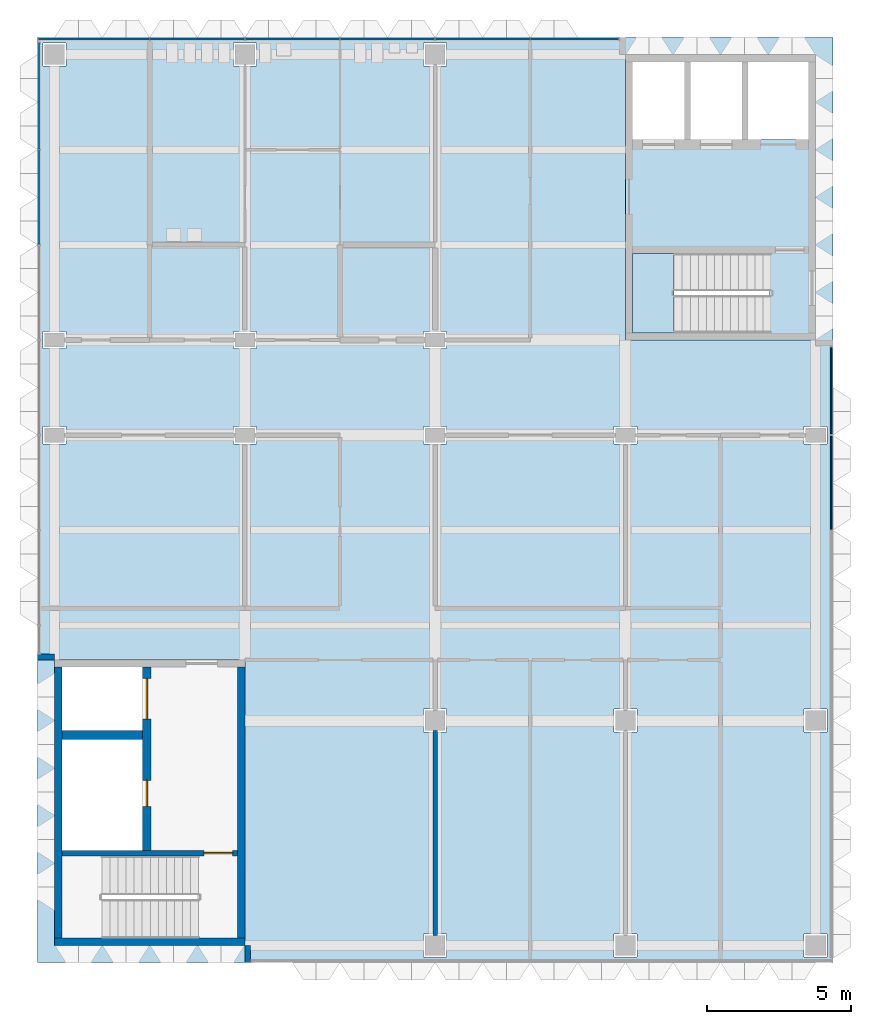
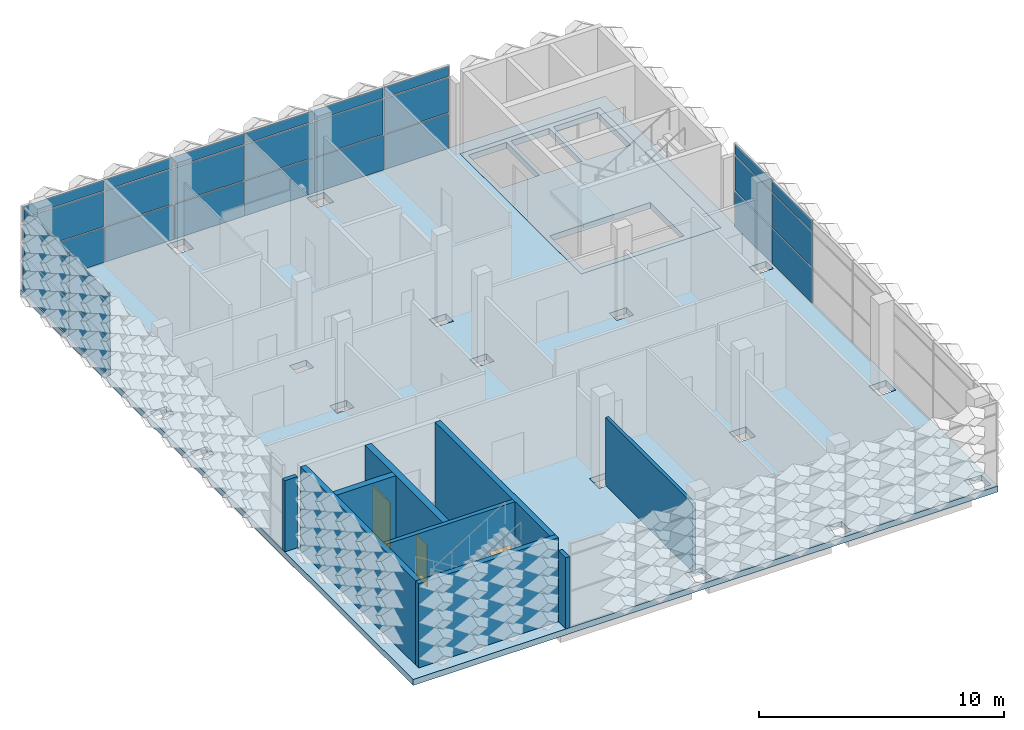
# One storey, part 8 of 29: 30 plates, 9 walls, 3 doors, 3 slabs, 3 openings, 4 elements without a shape of their own.
"""IFC4 building model written with IfcOpenShell, lengths in metres."""

from ifc_helpers import new_model, si_unit, direction, frame, frame_2d, origin, origin_2d, place, context, subcontext, project, spatial, polyline, rectangle, outline, extrude, material, layer, layer_set, type_object, element, fill, aggregate, save


model = new_model("IFC4")

# Units and contexts
model_context = context("Model", 3, precision=1e-05, world=origin(), true_north=direction((0.0, 1.0)))
body_context = subcontext(model_context, "Body", "Model", "MODEL_VIEW")
ifc_project = project(units=[si_unit("LENGTHUNIT", "METRE"), si_unit("AREAUNIT", "SQUARE_METRE"), si_unit("VOLUMEUNIT", "CUBIC_METRE"), si_unit("PLANEANGLEUNIT", "RADIAN"), si_unit("MASSUNIT", "GRAM", prefix="KILO")], contexts=[model_context])

# Site, building, storey
site_placement = place(None, origin())
site = spatial("IfcSite", under=ifc_project, at=site_placement, CompositionType="ELEMENT")
building_placement = place(site_placement, origin())
building = spatial("IfcBuilding", under=site, at=building_placement, Name="Lantern Court Research Institute", CompositionType="ELEMENT")
storey_placement = place(building_placement, frame((0.0, 0.0, 32.39990234375)))
storey = spatial("IfcBuildingStorey", under=building, at=storey_placement, Name="L07", CompositionType="ELEMENT", Elevation=32.39990234375)

# Curtain wall, plates
ifc_material_1 = material(Name="Aluminium alloy 6063-T6", Category="aluminium")
curtain_wall_type_1 = type_object("IfcCurtainWallType", Name="Curtain wall 20200 x 4200 x 120 aluminium frame", PredefinedType="NOTDEFINED", material=ifc_material_1)
curtain_wall_1_placement = place(storey_placement, origin())
curtain_wall_1 = element("IfcCurtainWall", 1, at=curtain_wall_1_placement, inside=storey, type_object=curtain_wall_type_1, Name="Curtain wall CW082", PredefinedType="NOTDEFINED")
ifc_material_2 = material(Name="Insulated aluminium spandrel panel", Category="aluminium")
ifc_layer_1 = layer(ifc_material_2, 0.06005859375)
ifc_layer_set_1 = layer_set([ifc_layer_1], Name="Insulated aluminium spandrel panel")
plate_type_1 = type_object("IfcPlateType", Name="Insulated spandrel panel 60 mm", PredefinedType="CURTAIN_PANEL", material=ifc_layer_set_1)
plate_1_placement = place(storey_placement, frame((54.16259765625, 23.639892578125, 0.050048828125), z_axis=(0.0, 0.0, 1.0), x_axis=(1.0, 0.0, 0.0)))
plate_1 = element("IfcPlate", 2, at=plate_1_placement, type_object=plate_type_1, Name="CW082 spandrel panel 1.1", PredefinedType="CURTAIN_PANEL", context=body_context, shape_type="SweptSolid", body=[
    extrude(rectangle(XDim=3.824951171875, YDim=0.06005859375, at=origin_2d()), origin(), (0.0, 0.0, 1.0), 1.72509765625),
])
plate_2_placement = place(storey_placement, frame((57.75, 23.639892578125, 0.050048828125), z_axis=(0.0, 0.0, 1.0), x_axis=(1.0, 0.0, 0.0)))
plate_2 = element("IfcPlate", 3, at=plate_2_placement, type_object=plate_type_1, Name="CW082 spandrel panel 2.1", PredefinedType="CURTAIN_PANEL", context=body_context, shape_type="SweptSolid", body=[
    extrude(rectangle(XDim=3.25, YDim=0.06005859375, at=origin_2d()), origin(), (0.0, 0.0, 1.0), 1.72509765625),
])
plate_3_placement = place(storey_placement, frame((61.050048828125, 23.639892578125, 0.050048828125), z_axis=(0.0, 0.0, 1.0), x_axis=(1.0, 0.0, 0.0)))
plate_3 = element("IfcPlate", 4, at=plate_3_placement, type_object=plate_type_1, Name="CW082 spandrel panel 3.1", PredefinedType="CURTAIN_PANEL", context=body_context, shape_type="SweptSolid", body=[
    extrude(rectangle(XDim=3.25, YDim=0.06005859375, at=origin_2d()), origin(), (0.0, 0.0, 1.0), 1.72509765625),
])
plate_4_placement = place(storey_placement, frame((64.35009765625, 23.639892578125, 0.050048828125), z_axis=(0.0, 0.0, 1.0), x_axis=(1.0, 0.0, 0.0)))
plate_4 = element("IfcPlate", 5, at=plate_4_placement, type_object=plate_type_1, Name="CW082 spandrel panel 4.1", PredefinedType="CURTAIN_PANEL", context=body_context, shape_type="SweptSolid", body=[
    extrude(rectangle(XDim=3.25, YDim=0.06005859375, at=origin_2d()), origin(), (0.0, 0.0, 1.0), 1.72509765625),
])
plate_5_placement = place(storey_placement, frame((67.64990234375, 23.639892578125, 0.050048828125), z_axis=(0.0, 0.0, 1.0), x_axis=(1.0, 0.0, 0.0)))
plate_5 = element("IfcPlate", 6, at=plate_5_placement, type_object=plate_type_1, Name="CW082 spandrel panel 5.1", PredefinedType="CURTAIN_PANEL", context=body_context, shape_type="SweptSolid", body=[
    extrude(rectangle(XDim=3.25, YDim=0.06005859375, at=origin_2d()), origin(), (0.0, 0.0, 1.0), 1.72509765625),
])
plate_6_placement = place(storey_placement, frame((70.83740234375, 23.639892578125, 0.050048828125), z_axis=(0.0, 0.0, 1.0), x_axis=(1.0, 0.0, 0.0)))
plate_6 = element("IfcPlate", 7, at=plate_6_placement, type_object=plate_type_1, Name="CW082 spandrel panel 6.1", PredefinedType="CURTAIN_PANEL", context=body_context, shape_type="SweptSolid", body=[
    extrude(rectangle(XDim=3.02490234375, YDim=0.06005859375, at=origin_2d()), origin(), (0.0, 0.0, 1.0), 1.72509765625),
])

ifc_material_3 = material(Name="Aluminium alloy 6063-T6", Category="aluminium")
curtain_wall_type_2 = type_object("IfcCurtainWallType", Name="Curtain wall 21250 x 4200 x 120 aluminium frame", PredefinedType="NOTDEFINED", material=ifc_material_3)
curtain_wall_2_placement = place(storey_placement, origin())
curtain_wall_2 = element("IfcCurtainWall", 8, at=curtain_wall_2_placement, inside=storey, type_object=curtain_wall_type_2, Name="Curtain wall CW081", PredefinedType="NOTDEFINED")
ifc_material_4 = material(Name="Insulated aluminium spandrel panel", Category="aluminium")
ifc_layer_2 = layer(ifc_material_4, 0.080078125)
ifc_layer_set_2 = layer_set([ifc_layer_2], Name="Insulated aluminium spandrel panel")
plate_type_2 = type_object("IfcPlateType", Name="Insulated spandrel panel 80 mm", PredefinedType="CURTAIN_PANEL", material=ifc_layer_set_2)
plate_7_placement = place(storey_placement, frame((79.739990234375, 8.25, 0.050048828125), z_axis=(0.0, 0.0, 1.0), x_axis=(0.0, -1.0, 0.0)))
plate_7 = element("IfcPlate", 9, at=plate_7_placement, type_object=plate_type_2, Name="CW081 spandrel panel 6.1", PredefinedType="CURTAIN_PANEL", context=body_context, shape_type="SweptSolid", body=[
    extrude(rectangle(XDim=3.25, YDim=0.080078125, at=origin_2d()), origin(), (0.0, 0.0, 1.0), 1.72509765625),
])
plate_8_placement = place(storey_placement, frame((79.739990234375, 11.4375, 0.050048828125), z_axis=(0.0, 0.0, 1.0), x_axis=(0.0, -1.0, 0.0)))
plate_8 = element("IfcPlate", 10, at=plate_8_placement, type_object=plate_type_2, Name="CW081 spandrel panel 7.1", PredefinedType="CURTAIN_PANEL", context=body_context, shape_type="SweptSolid", body=[
    extrude(rectangle(XDim=3.02490234375, YDim=0.080078125, at=origin_2d()), origin(), (0.0, 0.0, 1.0), 1.72509765625),
])

curtain_wall_3_placement = place(storey_placement, origin())
curtain_wall_3 = element("IfcCurtainWall", 11, at=curtain_wall_3_placement, inside=storey, type_object=curtain_wall_type_2, Name="Curtain wall CW084", PredefinedType="NOTDEFINED")
plate_9_placement = place(storey_placement, frame((52.260009765625, 18.14990234375, 0.050048828125), z_axis=(0.0, 0.0, 1.0), x_axis=(0.0, 1.0, 0.0)))
plate_9 = element("IfcPlate", 12, at=plate_9_placement, type_object=plate_type_2, Name="CW084 spandrel panel 6.1", PredefinedType="CURTAIN_PANEL", context=body_context, shape_type="SweptSolid", body=[
    extrude(rectangle(XDim=3.25, YDim=0.080078125, at=origin_2d()), origin(), (0.0, 0.0, 1.0), 1.72509765625),
])
plate_10_placement = place(storey_placement, frame((52.260009765625, 21.66259765625, 0.050048828125), z_axis=(0.0, 0.0, 1.0), x_axis=(0.0, 1.0, 0.0)))
plate_10 = element("IfcPlate", 13, at=plate_10_placement, type_object=plate_type_2, Name="CW084 spandrel panel 7.1", PredefinedType="CURTAIN_PANEL", context=body_context, shape_type="SweptSolid", body=[
    extrude(rectangle(XDim=3.675048828125, YDim=0.080078125, at=origin_2d()), origin(), (0.0, 0.0, 1.0), 1.72509765625),
])
ifc_material_5 = material(Name="Laminated low-emissivity glass", Category="glass")
ifc_layer_3 = layer(ifc_material_5, 0.031982421875)
ifc_layer_set_3 = layer_set([ifc_layer_3], Name="Laminated low-emissivity glass")
plate_type_3 = type_object("IfcPlateType", Name="Laminated low-emissivity unit 32 mm", PredefinedType="CURTAIN_PANEL", material=ifc_layer_set_3)
plate_11_placement = place(storey_placement, frame((52.260009765625, 18.14990234375, 1.8251953125), z_axis=(0.0, 0.0, 1.0), x_axis=(0.0, 1.0, 0.0)))
plate_11 = element("IfcPlate", 14, at=plate_11_placement, type_object=plate_type_3, Name="CW084 glazed panel 6.2", PredefinedType="CURTAIN_PANEL", context=body_context, shape_type="SweptSolid", body=[
    extrude(rectangle(XDim=3.25, YDim=0.031982421875, at=origin_2d()), origin(), (0.0, 0.0, 1.0), 1.75),
])
plate_12_placement = place(storey_placement, frame((52.260009765625, 18.14990234375, 3.625244140625), z_axis=(0.0, 0.0, 1.0), x_axis=(0.0, 1.0, 0.0)))
plate_12 = element("IfcPlate", 15, at=plate_12_placement, type_object=plate_type_3, Name="CW084 glazed panel 6.3", PredefinedType="CURTAIN_PANEL", context=body_context, shape_type="SweptSolid", body=[
    extrude(rectangle(XDim=3.25, YDim=0.031982421875, at=origin_2d()), origin(), (0.0, 0.0, 1.0), 0.52490234375),
])
plate_13_placement = place(storey_placement, frame((52.260009765625, 21.66259765625, 1.8251953125), z_axis=(0.0, 0.0, 1.0), x_axis=(0.0, 1.0, 0.0)))
plate_13 = element("IfcPlate", 16, at=plate_13_placement, type_object=plate_type_3, Name="CW084 glazed panel 7.2", PredefinedType="CURTAIN_PANEL", context=body_context, shape_type="SweptSolid", body=[
    extrude(rectangle(XDim=3.675048828125, YDim=0.031982421875, at=origin_2d()), origin(), (0.0, 0.0, 1.0), 1.75),
])
plate_14_placement = place(storey_placement, frame((52.260009765625, 21.66259765625, 3.625244140625), z_axis=(0.0, 0.0, 1.0), x_axis=(0.0, 1.0, 0.0)))
plate_14 = element("IfcPlate", 17, at=plate_14_placement, type_object=plate_type_3, Name="CW084 glazed panel 7.3", PredefinedType="CURTAIN_PANEL", context=body_context, shape_type="SweptSolid", body=[
    extrude(rectangle(XDim=3.675048828125, YDim=0.031982421875, at=origin_2d()), origin(), (0.0, 0.0, 1.0), 0.52490234375),
])
aggregate(curtain_wall_3, [plate_9, plate_11, plate_12, plate_10, plate_13, plate_14])

# Plate
ifc_material_6 = material(Name="Laminated low-emissivity glass", Category="glass")
ifc_layer_4 = layer(ifc_material_6, 0.02392578125)
ifc_layer_set_4 = layer_set([ifc_layer_4], Name="Laminated low-emissivity glass")
plate_type_4 = type_object("IfcPlateType", Name="Lightweight laminated unit 24 mm", PredefinedType="CURTAIN_PANEL", material=ifc_layer_set_4)
plate_15_placement = place(storey_placement, frame((54.16259765625, 23.639892578125, 1.8251953125), z_axis=(0.0, 0.0, 1.0), x_axis=(1.0, 0.0, 0.0)))
plate_15 = element("IfcPlate", 18, at=plate_15_placement, type_object=plate_type_4, Name="CW082 glazed panel 1.2", PredefinedType="CURTAIN_PANEL", context=body_context, shape_type="SweptSolid", body=[
    extrude(rectangle(XDim=3.824951171875, YDim=0.02392578125, at=origin_2d()), origin(), (0.0, 0.0, 1.0), 1.75),
])

plate_16_placement = place(storey_placement, frame((54.16259765625, 23.639892578125, 3.625244140625), z_axis=(0.0, 0.0, 1.0), x_axis=(1.0, 0.0, 0.0)))
plate_16 = element("IfcPlate", 19, at=plate_16_placement, type_object=plate_type_4, Name="CW082 glazed panel 1.3", PredefinedType="CURTAIN_PANEL", context=body_context, shape_type="SweptSolid", body=[
    extrude(rectangle(XDim=3.824951171875, YDim=0.02392578125, at=origin_2d()), origin(), (0.0, 0.0, 1.0), 0.52490234375),
])

plate_17_placement = place(storey_placement, frame((57.75, 23.639892578125, 1.8251953125), z_axis=(0.0, 0.0, 1.0), x_axis=(1.0, 0.0, 0.0)))
plate_17 = element("IfcPlate", 20, at=plate_17_placement, type_object=plate_type_4, Name="CW082 glazed panel 2.2", PredefinedType="CURTAIN_PANEL", context=body_context, shape_type="SweptSolid", body=[
    extrude(rectangle(XDim=3.25, YDim=0.02392578125, at=origin_2d()), origin(), (0.0, 0.0, 1.0), 1.75),
])

plate_18_placement = place(storey_placement, frame((57.75, 23.639892578125, 3.625244140625), z_axis=(0.0, 0.0, 1.0), x_axis=(1.0, 0.0, 0.0)))
plate_18 = element("IfcPlate", 21, at=plate_18_placement, type_object=plate_type_4, Name="CW082 glazed panel 2.3", PredefinedType="CURTAIN_PANEL", context=body_context, shape_type="SweptSolid", body=[
    extrude(rectangle(XDim=3.25, YDim=0.02392578125, at=origin_2d()), origin(), (0.0, 0.0, 1.0), 0.52490234375),
])

plate_19_placement = place(storey_placement, frame((61.050048828125, 23.639892578125, 1.8251953125), z_axis=(0.0, 0.0, 1.0), x_axis=(1.0, 0.0, 0.0)))
plate_19 = element("IfcPlate", 22, at=plate_19_placement, type_object=plate_type_4, Name="CW082 glazed panel 3.2", PredefinedType="CURTAIN_PANEL", context=body_context, shape_type="SweptSolid", body=[
    extrude(rectangle(XDim=3.25, YDim=0.02392578125, at=origin_2d()), origin(), (0.0, 0.0, 1.0), 1.75),
])

plate_20_placement = place(storey_placement, frame((61.050048828125, 23.639892578125, 3.625244140625), z_axis=(0.0, 0.0, 1.0), x_axis=(1.0, 0.0, 0.0)))
plate_20 = element("IfcPlate", 23, at=plate_20_placement, type_object=plate_type_4, Name="CW082 glazed panel 3.3", PredefinedType="CURTAIN_PANEL", context=body_context, shape_type="SweptSolid", body=[
    extrude(rectangle(XDim=3.25, YDim=0.02392578125, at=origin_2d()), origin(), (0.0, 0.0, 1.0), 0.52490234375),
])

plate_21_placement = place(storey_placement, frame((64.35009765625, 23.639892578125, 1.8251953125), z_axis=(0.0, 0.0, 1.0), x_axis=(1.0, 0.0, 0.0)))
plate_21 = element("IfcPlate", 24, at=plate_21_placement, type_object=plate_type_4, Name="CW082 glazed panel 4.2", PredefinedType="CURTAIN_PANEL", context=body_context, shape_type="SweptSolid", body=[
    extrude(rectangle(XDim=3.25, YDim=0.02392578125, at=origin_2d()), origin(), (0.0, 0.0, 1.0), 1.75),
])

plate_22_placement = place(storey_placement, frame((64.35009765625, 23.639892578125, 3.625244140625), z_axis=(0.0, 0.0, 1.0), x_axis=(1.0, 0.0, 0.0)))
plate_22 = element("IfcPlate", 25, at=plate_22_placement, type_object=plate_type_4, Name="CW082 glazed panel 4.3", PredefinedType="CURTAIN_PANEL", context=body_context, shape_type="SweptSolid", body=[
    extrude(rectangle(XDim=3.25, YDim=0.02392578125, at=origin_2d()), origin(), (0.0, 0.0, 1.0), 0.52490234375),
])

plate_23_placement = place(storey_placement, frame((67.64990234375, 23.639892578125, 1.8251953125), z_axis=(0.0, 0.0, 1.0), x_axis=(1.0, 0.0, 0.0)))
plate_23 = element("IfcPlate", 26, at=plate_23_placement, type_object=plate_type_4, Name="CW082 glazed panel 5.2", PredefinedType="CURTAIN_PANEL", context=body_context, shape_type="SweptSolid", body=[
    extrude(rectangle(XDim=3.25, YDim=0.02392578125, at=origin_2d()), origin(), (0.0, 0.0, 1.0), 1.75),
])

plate_24_placement = place(storey_placement, frame((67.64990234375, 23.639892578125, 3.625244140625), z_axis=(0.0, 0.0, 1.0), x_axis=(1.0, 0.0, 0.0)))
plate_24 = element("IfcPlate", 27, at=plate_24_placement, type_object=plate_type_4, Name="CW082 glazed panel 5.3", PredefinedType="CURTAIN_PANEL", context=body_context, shape_type="SweptSolid", body=[
    extrude(rectangle(XDim=3.25, YDim=0.02392578125, at=origin_2d()), origin(), (0.0, 0.0, 1.0), 0.52490234375),
])

plate_25_placement = place(storey_placement, frame((70.83740234375, 23.639892578125, 1.8251953125), z_axis=(0.0, 0.0, 1.0), x_axis=(1.0, 0.0, 0.0)))
plate_25 = element("IfcPlate", 28, at=plate_25_placement, type_object=plate_type_4, Name="CW082 glazed panel 6.2", PredefinedType="CURTAIN_PANEL", context=body_context, shape_type="SweptSolid", body=[
    extrude(rectangle(XDim=3.02490234375, YDim=0.02392578125, at=origin_2d()), origin(), (0.0, 0.0, 1.0), 1.75),
])

plate_26_placement = place(storey_placement, frame((70.83740234375, 23.639892578125, 3.625244140625), z_axis=(0.0, 0.0, 1.0), x_axis=(1.0, 0.0, 0.0)))
plate_26 = element("IfcPlate", 29, at=plate_26_placement, type_object=plate_type_4, Name="CW082 glazed panel 6.3", PredefinedType="CURTAIN_PANEL", context=body_context, shape_type="SweptSolid", body=[
    extrude(rectangle(XDim=3.02490234375, YDim=0.02392578125, at=origin_2d()), origin(), (0.0, 0.0, 1.0), 0.52490234375),
])

aggregate(curtain_wall_1, [plate_1, plate_15, plate_16, plate_2, plate_17, plate_18, plate_3, plate_19, plate_20, plate_4, plate_21, plate_22, plate_5, plate_23, plate_24, plate_6, plate_25, plate_26])

# Slabs
ifc_material_7 = material(Name="Concrete C35/45", Category="concrete")
ifc_layer_5 = layer(ifc_material_7, 0.300048828125)
ifc_layer_set_5 = layer_set([ifc_layer_5], Name="Concrete C35/45")
slab_type_1 = type_object("IfcSlabType", Name="RC core floor slab 300", PredefinedType="FLOOR", material=ifc_layer_set_5)
slab_1_placement = place(storey_placement, frame((0.0, 0.0, -0.2998046875)))
element("IfcSlab", 30, at=slab_1_placement, inside=storey, type_object=slab_type_1, Name="Floor of core TC-E", PredefinedType="FLOOR", context=body_context, shape_type="SweptSolid", body=[
    extrude(outline(polyline([(72.60009765625, 13.199951171875), (79.199951171875, 13.199951171875), (79.199951171875, 23.10009765625), (72.60009765625, 23.10009765625), (72.60009765625, 13.199951171875)]), holes=[polyline([(77.60009765625, 16.199951171875), (72.85009765625, 16.199951171875), (72.85009765625, 13.449951171875), (77.60009765625, 13.449951171875), (77.60009765625, 16.199951171875)]), polyline([(72.85009765625, 20.14990234375), (74.64990234375, 20.14990234375), (74.64990234375, 22.85009765625), (72.85009765625, 22.85009765625), (72.85009765625, 20.14990234375)]), polyline([(74.85009765625, 20.14990234375), (76.64990234375, 20.14990234375), (76.64990234375, 22.85009765625), (74.85009765625, 22.85009765625), (74.85009765625, 20.14990234375)]), polyline([(76.85009765625, 20.14990234375), (78.949951171875, 20.14990234375), (78.949951171875, 22.85009765625), (76.85009765625, 22.85009765625), (76.85009765625, 20.14990234375)])]), origin(), (0.0, 0.0, 1.0), 0.2998046875),
])
ifc_material_8 = material(Name="Concrete C35/45", Category="concrete")
ifc_layer_6 = layer(ifc_material_8, 0.300048828125)
ifc_layer_set_6 = layer_set([ifc_layer_6], Name="Concrete C35/45")
slab_type_2 = type_object("IfcSlabType", Name="RC floor slab 300", PredefinedType="FLOOR", material=ifc_layer_set_6)
slab_2_placement = place(storey_placement, frame((0.0, 0.0, -0.2998046875)))
element("IfcSlab", 31, at=slab_2_placement, inside=storey, type_object=slab_type_2, Name="Floor slab L07 Dry Laboratory and Clean Room Tower", PredefinedType="FLOOR", context=body_context, shape_type="SweptSolid", body=[
    extrude(outline(polyline([(52.199951171875, -7.800048828125), (52.199951171875, -8.39990234375), (79.800048828125, -8.39990234375), (79.800048828125, -7.800048828125), (79.800048828125, 23.10009765625), (79.800048828125, 23.699951171875), (52.199951171875, 23.699951171875), (52.199951171875, 23.10009765625), (52.199951171875, -7.800048828125)]), holes=[polyline([(66.39990234375, -7.39990234375), (66.39990234375, -8.199951171875), (65.60009765625, -8.199951171875), (65.60009765625, -7.39990234375), (66.39990234375, -7.39990234375)]), polyline([(59.39990234375, 2.10009765625), (59.39990234375, -7.800048828125), (52.800048828125, -7.800048828125), (52.800048828125, 2.10009765625), (59.39990234375, 2.10009765625)]), polyline([(66.39990234375, 0.39990234375), (66.39990234375, -0.39990234375), (65.60009765625, -0.39990234375), (65.60009765625, 0.39990234375), (66.39990234375, 0.39990234375)]), polyline([(53.199951171875, 10.199951171875), (53.199951171875, 9.60009765625), (52.39990234375, 9.60009765625), (52.39990234375, 10.199951171875), (53.199951171875, 10.199951171875)]), polyline([(59.800048828125, 10.199951171875), (59.800048828125, 9.60009765625), (59.0, 9.60009765625), (59.0, 10.199951171875), (59.800048828125, 10.199951171875)]), polyline([(66.39990234375, 10.199951171875), (66.39990234375, 9.60009765625), (65.60009765625, 9.60009765625), (65.60009765625, 10.199951171875), (66.39990234375, 10.199951171875)]), polyline([(53.199951171875, 13.5), (53.199951171875, 12.89990234375), (52.39990234375, 12.89990234375), (52.39990234375, 13.5), (53.199951171875, 13.5)]), polyline([(59.800048828125, 12.89990234375), (59.0, 12.89990234375), (59.0, 13.5), (59.800048828125, 13.5), (59.800048828125, 12.89990234375)]), polyline([(53.199951171875, 22.699951171875), (52.39990234375, 22.699951171875), (52.39990234375, 23.5), (53.199951171875, 23.5), (53.199951171875, 22.699951171875)]), polyline([(59.800048828125, 23.5), (59.800048828125, 22.699951171875), (59.0, 22.699951171875), (59.0, 23.5), (59.800048828125, 23.5)]), polyline([(73.0, -7.39990234375), (73.0, -8.199951171875), (72.199951171875, -8.199951171875), (72.199951171875, -7.39990234375), (73.0, -7.39990234375)]), polyline([(79.60009765625, -7.39990234375), (79.60009765625, -8.199951171875), (78.800048828125, -8.199951171875), (78.800048828125, -7.39990234375), (79.60009765625, -7.39990234375)]), polyline([(73.0, -0.39990234375), (72.199951171875, -0.39990234375), (72.199951171875, 0.39990234375), (73.0, 0.39990234375), (73.0, -0.39990234375)]), polyline([(79.60009765625, -0.39990234375), (78.800048828125, -0.39990234375), (78.800048828125, 0.39990234375), (79.60009765625, 0.39990234375), (79.60009765625, -0.39990234375)]), polyline([(73.0, 10.199951171875), (73.0, 9.60009765625), (72.199951171875, 9.60009765625), (72.199951171875, 10.199951171875), (73.0, 10.199951171875)]), polyline([(79.60009765625, 10.199951171875), (79.60009765625, 9.60009765625), (78.800048828125, 9.60009765625), (78.800048828125, 10.199951171875), (79.60009765625, 10.199951171875)]), polyline([(66.39990234375, 13.5), (66.39990234375, 12.89990234375), (65.60009765625, 12.89990234375), (65.60009765625, 13.5), (66.39990234375, 13.5)]), polyline([(79.199951171875, 13.199951171875), (72.60009765625, 13.199951171875), (72.60009765625, 23.10009765625), (79.199951171875, 23.10009765625), (79.199951171875, 13.199951171875)]), polyline([(66.39990234375, 22.699951171875), (65.60009765625, 22.699951171875), (65.60009765625, 23.5), (66.39990234375, 23.5), (66.39990234375, 22.699951171875)])]), origin(), (0.0, 0.0, 1.0), 0.2998046875),
])

# Stair, slab
ifc_material_9 = material(Name="Concrete C40/50", Category="concrete")
stair_type = type_object("IfcStairType", Name="RC half-turn stair 1300 wide, 4500 rise, 6100 shaft", PredefinedType="HALF_TURN_STAIR", material=ifc_material_9)
stair_placement = place(storey_placement, origin())
stair = element("IfcStair", 32, at=stair_placement, inside=storey, type_object=stair_type, Name="L07 stair ST-T2", PredefinedType="HALF_TURN_STAIR")
ifc_material_10 = material(Name="Concrete C40/50", Category="concrete")
ifc_layer_7 = layer(ifc_material_10, 0.199951171875)
ifc_layer_set_7 = layer_set([ifc_layer_7], Name="Concrete C40/50")
slab_type_3 = type_object("IfcSlabType", Name="RC stair landing 200", PredefinedType="LANDING", material=ifc_layer_set_7)
slab_3_placement = place(storey_placement, frame((0.0, 0.0, 2.050048828125)))
slab_3 = element("IfcSlab", 33, at=slab_3_placement, type_object=slab_type_3, Name="ST-T2 landing 1", PredefinedType="LANDING", context=body_context, shape_type="SweptSolid", body=[
    extrude(outline(polyline([(74.2900390625, 16.199951171875), (72.85009765625, 16.199951171875), (72.85009765625, 13.449951171875), (74.2900390625, 13.449951171875), (74.2900390625, 16.199951171875)])), origin(), (0.0, 0.0, 1.0), 0.199951171875),
])
aggregate(stair, [slab_3])

# Plate
ifc_material_11 = material(Name="Laminated low-emissivity glass", Category="glass")
ifc_layer_8 = layer(ifc_material_11, 0.035888671875)
ifc_layer_set_8 = layer_set([ifc_layer_8], Name="Laminated low-emissivity glass")
plate_type_5 = type_object("IfcPlateType", Name="Solar control laminated unit 36 mm", PredefinedType="CURTAIN_PANEL", material=ifc_layer_set_8)
plate_27_placement = place(storey_placement, frame((79.739990234375, 8.25, 1.8251953125), z_axis=(0.0, 0.0, 1.0), x_axis=(0.0, -1.0, 0.0)))
plate_27 = element("IfcPlate", 34, at=plate_27_placement, type_object=plate_type_5, Name="CW081 glazed panel 6.2", PredefinedType="CURTAIN_PANEL", context=body_context, shape_type="SweptSolid", body=[
    extrude(rectangle(XDim=3.25, YDim=0.035888671875, at=origin_2d()), origin(), (0.0, 0.0, 1.0), 1.75),
])

plate_28_placement = place(storey_placement, frame((79.739990234375, 8.25, 3.625244140625), z_axis=(0.0, 0.0, 1.0), x_axis=(0.0, -1.0, 0.0)))
plate_28 = element("IfcPlate", 35, at=plate_28_placement, type_object=plate_type_5, Name="CW081 glazed panel 6.3", PredefinedType="CURTAIN_PANEL", context=body_context, shape_type="SweptSolid", body=[
    extrude(rectangle(XDim=3.25, YDim=0.035888671875, at=origin_2d()), origin(), (0.0, 0.0, 1.0), 0.52490234375),
])

plate_29_placement = place(storey_placement, frame((79.739990234375, 11.4375, 1.8251953125), z_axis=(0.0, 0.0, 1.0), x_axis=(0.0, -1.0, 0.0)))
plate_29 = element("IfcPlate", 36, at=plate_29_placement, type_object=plate_type_5, Name="CW081 glazed panel 7.2", PredefinedType="CURTAIN_PANEL", context=body_context, shape_type="SweptSolid", body=[
    extrude(rectangle(XDim=3.02490234375, YDim=0.035888671875, at=origin_2d()), origin(), (0.0, 0.0, 1.0), 1.75),
])

plate_30_placement = place(storey_placement, frame((79.739990234375, 11.4375, 3.625244140625), z_axis=(0.0, 0.0, 1.0), x_axis=(0.0, -1.0, 0.0)))
plate_30 = element("IfcPlate", 37, at=plate_30_placement, type_object=plate_type_5, Name="CW081 glazed panel 7.3", PredefinedType="CURTAIN_PANEL", context=body_context, shape_type="SweptSolid", body=[
    extrude(rectangle(XDim=3.02490234375, YDim=0.035888671875, at=origin_2d()), origin(), (0.0, 0.0, 1.0), 0.52490234375),
])

aggregate(curtain_wall_2, [plate_7, plate_27, plate_28, plate_8, plate_29, plate_30])

# Walls
ifc_material_12 = material(Name="Fire-rated gypsum board partition, mineral wool filled")
ifc_layer_9 = layer(ifc_material_12, 0.14990234375)
ifc_layer_set_9 = layer_set([ifc_layer_9], Name="Fire-rated gypsum board partition, mineral wool filled")
wall_type_1 = type_object("IfcWallType", Name="Laboratory partition 150 EI 60", PredefinedType="PARTITIONING", material=ifc_layer_set_9)
wall_1_placement = place(storey_placement, frame((66.0, -7.449951171875, 0.0), z_axis=(0.0, 0.0, 1.0), x_axis=(0.0, 1.0, 0.0)))
element("IfcWall", 38, at=wall_1_placement, inside=storey, type_object=wall_type_1, Name="Laboratory partition 150 EI 60", PredefinedType="PARTITIONING", context=body_context, shape_type="SweptSolid", body=[
    extrude(rectangle(XDim=7.099853515625, YDim=0.14990234375, at=frame_2d((3.5498046875, 0.0))), origin(), (0.0, 0.0, 1.0), 3.400146484375),
])
ifc_material_13 = material(Name="Concrete C40/50", Category="concrete")
ifc_layer_10 = layer(ifc_material_13, 0.25)
ifc_layer_set_10 = layer_set([ifc_layer_10], Name="Concrete C40/50")
wall_type_2 = type_object("IfcWallType", Name="RC core wall 250", PredefinedType="SHEAR", material=ifc_layer_set_10)
wall_2_placement = place(storey_placement, frame((59.27490234375, 1.85009765625, 0.0), z_axis=(0.0, 0.0, 1.0), x_axis=(0.0, -1.0, 0.0)))
element("IfcWall", 39, at=wall_2_placement, inside=storey, type_object=wall_type_2, Name="East wall of core TC-W", PredefinedType="SHEAR", context=body_context, shape_type="SweptSolid", body=[
    extrude(rectangle(XDim=9.400146484375, YDim=0.25, at=frame_2d((4.7001953125, 0.0))), origin(), (0.0, 0.0, 1.0), 4.2001953125),
])
ifc_material_14 = material(Name="Concrete C40/50", Category="concrete")
ifc_layer_11 = layer(ifc_material_14, 0.25)
ifc_layer_set_11 = layer_set([ifc_layer_11], Name="Concrete C40/50")
wall_type_3 = type_object("IfcWallType", Name="RC core wall 250 facade", PredefinedType="SHEAR", material=ifc_layer_set_11)
wall_3_placement = place(storey_placement, frame((59.39990234375, -7.675048828125, 0.0), z_axis=(0.0, 0.0, 1.0), x_axis=(-1.0, 0.0, 0.0)))
element("IfcWall", 40, at=wall_3_placement, inside=storey, type_object=wall_type_3, Name="South wall of core TC-W", PredefinedType="SHEAR", context=body_context, shape_type="SweptSolid", body=[
    extrude(rectangle(XDim=6.599853515625, YDim=0.25, at=frame_2d((3.2998046875, 0.0))), origin(), (0.0, 0.0, 1.0), 4.2001953125),
])
wall_4_placement = place(storey_placement, frame((52.925048828125, 1.85009765625, 0.0), z_axis=(0.0, 0.0, 1.0), x_axis=(0.0, -1.0, 0.0)))
element("IfcWall", 41, at=wall_4_placement, inside=storey, type_object=wall_type_3, Name="West wall of core TC-W", PredefinedType="SHEAR", context=body_context, shape_type="SweptSolid", body=[
    extrude(rectangle(XDim=9.400146484375, YDim=0.25, at=frame_2d((4.7001953125, 0.0))), origin(), (0.0, 0.0, 1.0), 4.2001953125),
])

# Wall, opening, door
ifc_material_15 = material(Name="Concrete C40/50", Category="concrete")
ifc_layer_12 = layer(ifc_material_15, 0.199951171875)
ifc_layer_set_12 = layer_set([ifc_layer_12], Name="Concrete C40/50")
wall_type_4 = type_object("IfcWallType", Name="RC shaft wall 200", PredefinedType="SHEAR", material=ifc_layer_set_12)
wall_5_placement = place(storey_placement, frame((59.14990234375, -4.60009765625, 0.0), z_axis=(0.0, 0.0, 1.0), x_axis=(-1.0, 0.0, 0.0)))
wall_5 = element("IfcWall", 42, at=wall_5_placement, inside=storey, type_object=wall_type_4, Name="Stair wall of core TC-W", PredefinedType="SHEAR", context=body_context, shape_type="SweptSolid", body=[
    extrude(rectangle(XDim=6.099853515625, YDim=0.199951171875, at=frame_2d((3.0498046875, 0.0))), origin(), (0.0, 0.0, 1.0), 4.2001953125),
])
opening_1_placement = place(wall_5_placement, frame((0.175048828125, 0.0, 0.0)))
opening_1 = element("IfcOpeningElement", 43, at=opening_1_placement, cuts=wall_5, Name="Opening D7130", PredefinedType="OPENING", context=body_context, shape_type="SweptSolid", body=[
    extrude(rectangle(XDim=1.0, YDim=2.10009765625, at=frame_2d((0.5, 1.050048828125))), frame((0.0, 0.10986328125, 0.0), z_axis=(0.0, -1.0, 0.0), x_axis=(1.0, 0.0, 0.0)), (0.0, 0.0, 1.0), 0.219970703125),
])
ifc_material_16 = material(Name="Steel fire door leaf with smoke seals", Category="steel")
door_type_1 = type_object("IfcDoorType", Name="Door 1000 x 2100 fire rated FD60S", OperationType="NOTDEFINED", PredefinedType="DOOR", material=ifc_material_16)
door_1_placement = place(opening_1_placement, origin())
door_1 = element("IfcDoor", 44, at=door_1_placement, inside=storey, type_object=door_type_1, Name="Stair door", OperationType="SINGLE_SWING_RIGHT", OverallHeight=2.10009765625, OverallWidth=1.0, PredefinedType="DOOR", context=body_context, shape_type="SweptSolid", body=[
    extrude(rectangle(XDim=1.0, YDim=2.10009765625, at=frame_2d((0.5, 1.050048828125))), frame((0.0, 0.02490234375, 0.0), z_axis=(0.0, -1.0, 0.0), x_axis=(1.0, 0.0, 0.0)), (0.0, 0.0, 1.0), 0.050048828125),
])
fill(opening_1, door_1)

# Wall, openings, doors
ifc_material_17 = material(Name="Concrete C40/50", Category="concrete")
ifc_layer_13 = layer(ifc_material_17, 0.300048828125)
ifc_layer_set_13 = layer_set([ifc_layer_13], Name="Concrete C40/50")
wall_type_5 = type_object("IfcWallType", Name="RC shaft wall 300", PredefinedType="SHEAR", material=ifc_layer_set_13)
wall_6_placement = place(storey_placement, frame((56.0, 1.85009765625, 0.0), z_axis=(0.0, 0.0, 1.0), x_axis=(0.0, -1.0, 0.0)))
wall_6 = element("IfcWall", 45, at=wall_6_placement, inside=storey, type_object=wall_type_5, Name="Lift shaft wall of core TC-W", PredefinedType="SHEAR", context=body_context, shape_type="SweptSolid", body=[
    extrude(rectangle(XDim=6.35009765625, YDim=0.300048828125, at=frame_2d((3.175048828125, 0.0))), origin(), (0.0, 0.0, 1.0), 4.2001953125),
])
opening_2_placement = place(wall_6_placement, frame((3.925048828125, 0.0, 0.0)))
opening_2 = element("IfcOpeningElement", 46, at=opening_2_placement, cuts=wall_6, Name="Opening D7128", PredefinedType="OPENING", context=body_context, shape_type="SweptSolid", body=[
    extrude(rectangle(XDim=0.89990234375, YDim=2.10009765625, at=frame_2d((0.449951171875, 1.050048828125))), frame((0.0, 0.159912109375, 0.0), z_axis=(0.0, -1.0, 0.0), x_axis=(1.0, 0.0, 0.0)), (0.0, 0.0, 1.0), 0.320068359375),
])
opening_3_placement = place(wall_6_placement, frame((0.39990234375, 0.0, 0.0)))
opening_3 = element("IfcOpeningElement", 47, at=opening_3_placement, cuts=wall_6, Name="Opening D7131", PredefinedType="OPENING", context=body_context, shape_type="SweptSolid", body=[
    extrude(rectangle(XDim=1.39990234375, YDim=2.39990234375, at=frame_2d((0.699951171875, 1.199951171875))), frame((0.0, 0.159912109375, 0.0), z_axis=(0.0, -1.0, 0.0), x_axis=(1.0, 0.0, 0.0)), (0.0, 0.0, 1.0), 0.320068359375),
])
ifc_material_18 = material(Name="Steel fire door leaf", Category="steel")
door_type_2 = type_object("IfcDoorType", Name="Door 900 x 2100 fire rated FD60", OperationType="NOTDEFINED", PredefinedType="DOOR", material=ifc_material_18)
door_2_placement = place(opening_2_placement, origin())
door_2 = element("IfcDoor", 48, at=door_2_placement, inside=storey, type_object=door_type_2, Name="Riser door", OperationType="SINGLE_SWING_RIGHT", OverallHeight=2.10009765625, OverallWidth=0.89990234375, PredefinedType="DOOR", context=body_context, shape_type="SweptSolid", body=[
    extrude(rectangle(XDim=0.89990234375, YDim=2.10009765625, at=frame_2d((0.449951171875, 1.050048828125))), frame((0.0, 0.02490234375, 0.0), z_axis=(0.0, -1.0, 0.0), x_axis=(1.0, 0.0, 0.0)), (0.0, 0.0, 1.0), 0.050048828125),
])
fill(opening_2, door_2)
ifc_material_19 = material(Name="Stainless steel landing door panels", Category="steel")
door_type_3 = type_object("IfcDoorType", Name="Lift landing door 1400 x 2400 sliding FD60", OperationType="DOUBLE_DOOR_SLIDING", PredefinedType="NOTDEFINED", material=ifc_material_19)
door_3_placement = place(opening_3_placement, origin())
door_3 = element("IfcDoor", 49, at=door_3_placement, inside=storey, type_object=door_type_3, Name="Landing door", OperationType="DOUBLE_DOOR_SLIDING", OverallHeight=2.39990234375, OverallWidth=1.39990234375, PredefinedType="NOTDEFINED", context=body_context, shape_type="SweptSolid", body=[
    extrude(rectangle(XDim=1.39990234375, YDim=2.39990234375, at=frame_2d((0.699951171875, 1.199951171875))), frame((0.0, 0.02490234375, 0.0), z_axis=(0.0, -1.0, 0.0), x_axis=(1.0, 0.0, 0.0)), (0.0, 0.0, 1.0), 0.050048828125),
])
fill(opening_3, door_3)

# Walls
wall_7_placement = place(storey_placement, frame((55.85009765625, -0.5, 0.0), z_axis=(0.0, 0.0, 1.0), x_axis=(-1.0, 0.0, 0.0)))
element("IfcWall", 50, at=wall_7_placement, inside=storey, type_object=wall_type_5, Name="Lift shaft wall of core TC-W", PredefinedType="SHEAR", context=body_context, shape_type="SweptSolid", body=[
    extrude(rectangle(XDim=2.800048828125, YDim=0.300048828125, at=frame_2d((1.39990234375, 0.0))), origin(), (0.0, 0.0, 1.0), 4.2001953125),
])
ifc_material_20 = material(Name="Concrete C40/50", Category="concrete")
ifc_layer_14 = layer(ifc_material_20, 0.199951171875)
ifc_layer_set_14 = layer_set([ifc_layer_14], Name="Concrete C40/50")
wall_type_6 = type_object("IfcWallType", Name="Return wall 200 concrete EI 120 aluminium faced", PredefinedType="STANDARD", material=ifc_layer_set_14)
wall_8_placement = place(storey_placement, frame((59.5, -7.800048828125, 0.0), z_axis=(0.0, 0.0, 1.0), x_axis=(0.0, -1.0, 0.0)))
element("IfcWall", 51, at=wall_8_placement, inside=storey, type_object=wall_type_6, Name="Core return wall 61", PredefinedType="STANDARD", context=body_context, shape_type="SweptSolid", body=[
    extrude(rectangle(XDim=0.599853515625, YDim=0.199951171875, at=frame_2d((0.2998046875, 0.0))), origin(), (0.0, 0.0, 1.0), 3.550048828125),
])
wall_9_placement = place(storey_placement, frame((52.800048828125, 2.199951171875, 0.0), z_axis=(0.0, 0.0, 1.0), x_axis=(-1.0, 0.0, 0.0)))
element("IfcWall", 52, at=wall_9_placement, inside=storey, type_object=wall_type_6, Name="Core return wall 62", PredefinedType="STANDARD", context=body_context, shape_type="SweptSolid", body=[
    extrude(rectangle(XDim=0.60009765625, YDim=0.199951171875, at=frame_2d((0.300048828125, 0.0))), origin(), (0.0, 0.0, 1.0), 3.550048828125),
])

save(model, "model.ifc")
